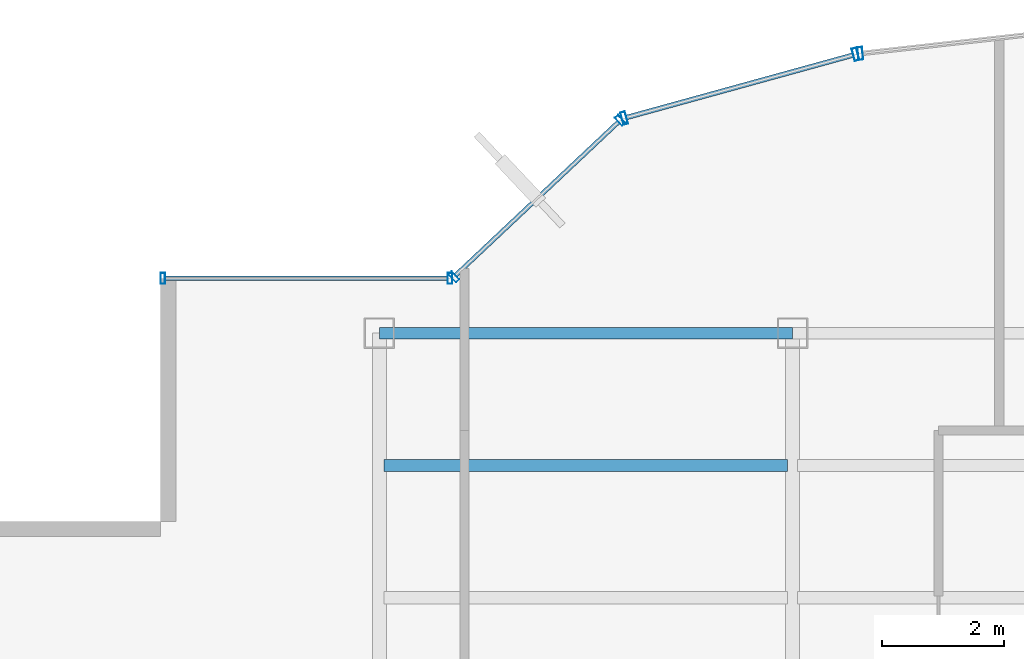
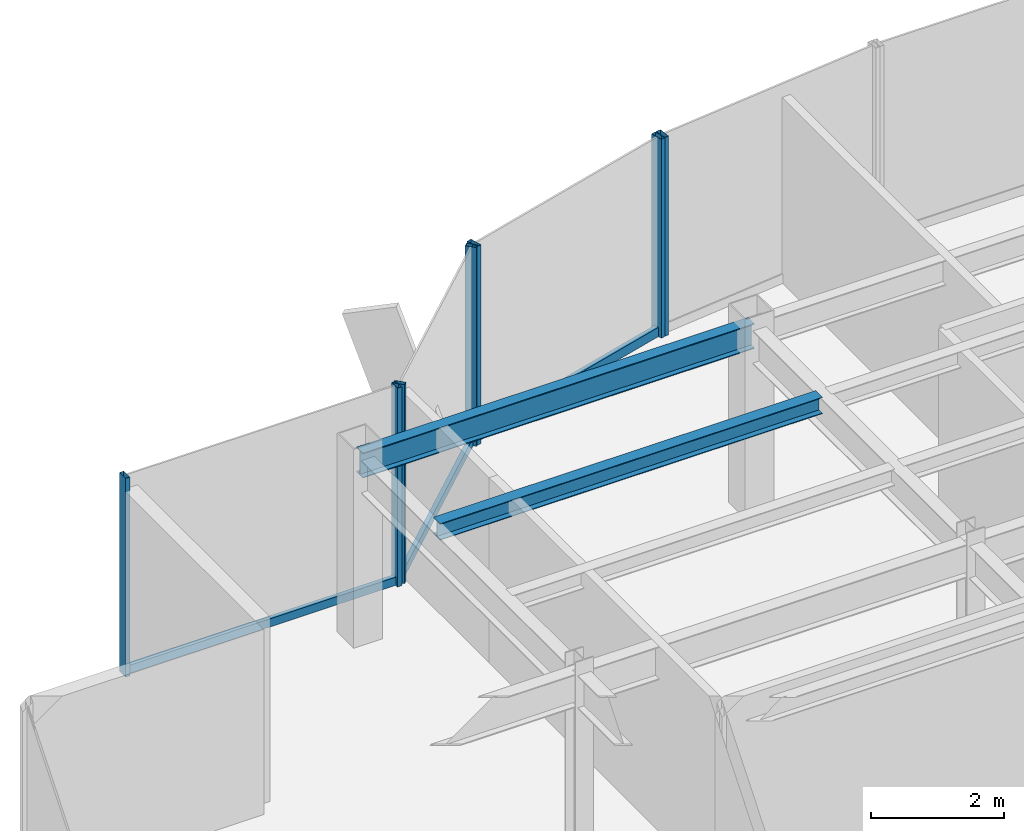
# One storey, part 12 of 22: 10 members, 2 beams, 4 elements without a shape of their own.
"""IFC4 building model written with IfcOpenShell, lengths in metres."""

from ifc_helpers import new_model, si_unit, derived_unit, direction, frame, origin, origin_2d, place, context, subcontext, project, spatial, hollow_rectangle, i_section, extrude, source, transform, mapped, material, material_profile, profile_set, type_object, element, aggregate, save


model = new_model("IFC4")

# Units and contexts
model_context = context("Model", 3, precision=1e-05, world=origin(), true_north=direction((0.0, 1.0)))
body_context = subcontext(model_context, "Body", "Model", "MODEL_VIEW")
ifc_project = project(units=[si_unit("LENGTHUNIT", "METRE"), si_unit("AREAUNIT", "SQUARE_METRE"), si_unit("VOLUMEUNIT", "CUBIC_METRE"), si_unit("PLANEANGLEUNIT", "RADIAN"), si_unit("MASSUNIT", "GRAM", prefix="KILO"), derived_unit("THERMALTRANSMITTANCEUNIT", [(si_unit("POWERUNIT", "WATT"), 1), (si_unit("LENGTHUNIT", "METRE"), -2), (si_unit("THERMODYNAMICTEMPERATUREUNIT", "KELVIN"), -1)])], contexts=[model_context])

# Site, building, storey
site_placement = place(None, origin())
site = spatial("IfcSite", under=ifc_project, at=site_placement, CompositionType="ELEMENT")
building_placement = place(site_placement, origin())
building = spatial("IfcBuilding", under=site, at=building_placement, Name="Skarnbrae Concourse Arena and Tower", CompositionType="ELEMENT")
storey_placement = place(building_placement, frame((0.0, 0.0, 258.800048828125)))
storey = spatial("IfcBuildingStorey", under=building, at=storey_placement, Name="L67", CompositionType="ELEMENT", Elevation=258.800048828125)

# Beams
ifc_material_1 = material(Name="Steel CSA G40.21 350W", Category="steel")
ifc_material_profile_1 = material_profile(ifc_material_1, i_section(OverallWidth=0.19091796875, OverallDepth=0.4599609375, WebThickness=0.010009765625, FlangeThickness=0.01611328125, at=origin_2d()), Name="W460X82")
ifc_profile_set_1 = profile_set([ifc_material_profile_1], Name="Steel CSA G40.21 350W")
beam_type_1 = type_object("IfcBeamType", Name="BM-SPAN-W460X82", PredefinedType="SPANDREL", material=ifc_profile_set_1)
shared_shape_1 = source(origin(), body_context, "Body", "SweptSolid", [
    extrude(i_section(OverallWidth=0.19091796875, OverallDepth=0.4599609375, WebThickness=0.010009765625, FlangeThickness=0.01611328125, at=origin_2d()), origin(), (0.0, 0.0, 1.0), 6.7998046875),
])
beam_1_placement = place(storey_placement, frame((7.60009765625, 34.39990234375, 3.169921875), z_axis=(1.0, 0.0, 0.0), x_axis=(0.0, 1.0, 0.0)))
element("IfcBeam", 1, at=beam_1_placement, inside=storey, type_object=beam_type_1, Name="L67 Perimeter spandrel Y34.4-1", PredefinedType="SPANDREL", context=body_context, shape_type="MappedRepresentation", body=[
    mapped(shared_shape_1, transform((0.0, 0.0, 0.0))),
])
ifc_material_profile_2 = material_profile(ifc_material_1, i_section(OverallWidth=0.202880859375, OverallDepth=0.302978515625, WebThickness=0.007568359375, FlangeThickness=0.01318359375, at=origin_2d()), Name="W310X60")
ifc_profile_set_2 = profile_set([ifc_material_profile_2], Name="Steel CSA G40.21 350W")
beam_type_2 = type_object("IfcBeamType", Name="BM-JOIST-W310X60", PredefinedType="JOIST", material=ifc_profile_set_2)
shared_shape_2 = source(origin(), body_context, "Body", "SweptSolid", [
    extrude(i_section(OverallWidth=0.202880859375, OverallDepth=0.302978515625, WebThickness=0.007568359375, FlangeThickness=0.01318359375, at=origin_2d()), origin(), (0.0, 0.0, 1.0), 6.64013671875),
])
beam_2_placement = place(storey_placement, frame((7.679931640625, 32.221923828125, 3.24853515625), z_axis=(1.0, 0.0, 0.0), x_axis=(0.0, 1.0, 0.0)))
element("IfcBeam", 2, at=beam_2_placement, inside=storey, type_object=beam_type_2, Name="L67 Secondary floor joist 3.2.1", PredefinedType="JOIST", context=body_context, shape_type="MappedRepresentation", body=[
    mapped(shared_shape_2, transform((0.0, 0.0, 0.0))),
])

# Curtain wall, member
ifc_material_2 = material(Name="Bronze anodised aluminium 6063-T6", Category="aluminium")
curtain_wall_type_1 = type_object("IfcCurtainWallType", Name="CW-SYS-03-PORTAL", PredefinedType="USERDEFINED", material=ifc_material_2)
curtain_wall_1_placement = place(storey_placement, origin())
curtain_wall_1 = element("IfcCurtainWall", 3, at=curtain_wall_1_placement, inside=storey, type_object=curtain_wall_type_1, Name="L67 Unitised curtain wall CW-L67-E12", ObjectType="UNITISED CURTAIN WALL", PredefinedType="USERDEFINED")
ifc_material_profile_3 = material_profile(ifc_material_2, hollow_rectangle(XDim=0.080078125, YDim=0.2099609375, WallThickness=0.00439453125, at=origin_2d()), Name="ALU-MULL-80X210")
ifc_profile_set_3 = profile_set([ifc_material_profile_3], Name="Bronze anodised aluminium 6063-T6")
member_type_1 = type_object("IfcMemberType", Name="CWM-CW-03", PredefinedType="MULLION", material=ifc_profile_set_3)
shared_shape_3 = source(origin(), body_context, "Body", "SweptSolid", [
    extrude(hollow_rectangle(XDim=0.080078125, YDim=0.2099609375, WallThickness=0.00439453125, at=origin_2d()), origin(), (0.0, 0.0, 1.0), 3.64990234375),
])
member_1_placement = place(storey_placement, frame((15.513916015625, 39.001708984375, 0.0), z_axis=(0.0, 0.0, 1.0), x_axis=(-0.993768891873, -0.111460259941, 0.0)))
member_1 = element("IfcMember", 4, at=member_1_placement, type_object=member_type_1, Name="CW-L67-E12 Mullion 2", PredefinedType="MULLION", context=body_context, shape_type="MappedRepresentation", body=[
    mapped(shared_shape_3, transform((0.0, 0.0, 0.0))),
])
aggregate(curtain_wall_1, [member_1])

# Curtain wall, members
curtain_wall_2_placement = place(storey_placement, origin())
curtain_wall_2 = element("IfcCurtainWall", 5, at=curtain_wall_2_placement, inside=storey, type_object=curtain_wall_type_1, Name="L67 Unitised curtain wall CW-L67-E13", ObjectType="UNITISED CURTAIN WALL", PredefinedType="USERDEFINED")
member_2_placement = place(storey_placement, frame((15.435546875, 38.986572265625, 0.0), z_axis=(0.0, 0.0, 1.0), x_axis=(-0.964057388766, -0.265694093207, 0.0)))
member_2 = element("IfcMember", 6, at=member_2_placement, type_object=member_type_1, Name="CW-L67-E13 Mullion 1", PredefinedType="MULLION", context=body_context, shape_type="MappedRepresentation", body=[
    mapped(shared_shape_3, transform((0.0, 0.0, 0.0))),
])
member_3_placement = place(storey_placement, frame((11.62890625, 37.937255859375, 0.0), z_axis=(0.0, 0.0, 1.0), x_axis=(-0.964057388766, -0.265694093207, 0.0)))
member_3 = element("IfcMember", 7, at=member_3_placement, type_object=member_type_1, Name="CW-L67-E13 Mullion 2", PredefinedType="MULLION", context=body_context, shape_type="MappedRepresentation", body=[
    mapped(shared_shape_3, transform((0.0, 0.0, 0.0))),
])

curtain_wall_type_2 = type_object("IfcCurtainWallType", Name="CW-SYS-05-HIGHZONE", PredefinedType="USERDEFINED", material=ifc_material_2)
curtain_wall_3_placement = place(storey_placement, origin())
curtain_wall_3 = element("IfcCurtainWall", 8, at=curtain_wall_3_placement, inside=storey, type_object=curtain_wall_type_2, Name="L67 Unitised curtain wall CW-L67-E14", ObjectType="UNITISED CURTAIN WALL", PredefinedType="USERDEFINED")
ifc_material_profile_4 = material_profile(ifc_material_2, hollow_rectangle(XDim=0.074951171875, YDim=0.179931640625, WallThickness=0.00390625, at=origin_2d()), Name="ALU-MULL-75X180")
ifc_profile_set_4 = profile_set([ifc_material_profile_4], Name="Bronze anodised aluminium 6063-T6")
member_type_2 = type_object("IfcMemberType", Name="CWM-CW-05", PredefinedType="MULLION", material=ifc_profile_set_4)
shared_shape_4 = source(origin(), body_context, "Body", "SweptSolid", [
    extrude(hollow_rectangle(XDim=0.074951171875, YDim=0.179931640625, WallThickness=0.00390625, at=origin_2d()), origin(), (0.0, 0.0, 1.0), 3.64990234375),
])
member_4_placement = place(storey_placement, frame((11.56298828125, 37.90087890625, 0.0), z_axis=(0.0, 0.0, 1.0), x_axis=(-0.728130555214, -0.685438468838, 0.0)))
member_4 = element("IfcMember", 9, at=member_4_placement, type_object=member_type_2, Name="CW-L67-E14 Mullion 1", PredefinedType="MULLION", context=body_context, shape_type="MappedRepresentation", body=[
    mapped(shared_shape_4, transform((0.0, 0.0, 0.0))),
])
member_5_placement = place(storey_placement, frame((8.827392578125, 35.32568359375, 0.0), z_axis=(0.0, 0.0, 1.0), x_axis=(-0.728130555214, -0.685438468838, 0.0)))
member_5 = element("IfcMember", 10, at=member_5_placement, type_object=member_type_2, Name="CW-L67-E14 Mullion 2", PredefinedType="MULLION", context=body_context, shape_type="MappedRepresentation", body=[
    mapped(shared_shape_4, transform((0.0, 0.0, 0.0))),
])

curtain_wall_4_placement = place(storey_placement, origin())
curtain_wall_4 = element("IfcCurtainWall", 11, at=curtain_wall_4_placement, inside=storey, type_object=curtain_wall_type_2, Name="L67 Unitised curtain wall CW-L67-E15", ObjectType="UNITISED CURTAIN WALL", PredefinedType="USERDEFINED")
member_6_placement = place(storey_placement, frame((8.762451171875, 35.300048828125, 0.0), z_axis=(0.0, 0.0, 1.0), x_axis=(-1.0, 0.0, 0.0)))
member_6 = element("IfcMember", 12, at=member_6_placement, type_object=member_type_2, Name="CW-L67-E15 Mullion 1", PredefinedType="MULLION", context=body_context, shape_type="MappedRepresentation", body=[
    mapped(shared_shape_4, transform((0.0, 0.0, 0.0))),
])
member_7_placement = place(storey_placement, frame((4.03759765625, 35.300048828125, 0.0), z_axis=(0.0, 0.0, 1.0), x_axis=(-1.0, 0.0, 0.0)))
member_7 = element("IfcMember", 13, at=member_7_placement, type_object=member_type_2, Name="CW-L67-E15 Mullion 2", PredefinedType="MULLION", context=body_context, shape_type="MappedRepresentation", body=[
    mapped(shared_shape_4, transform((0.0, 0.0, 0.0))),
])
ifc_material_profile_5 = material_profile(ifc_material_2, hollow_rectangle(XDim=0.074951171875, YDim=0.14990234375, WallThickness=0.00390625, at=origin_2d()), Name="ALU-TRAN-75X150")
ifc_profile_set_5 = profile_set([ifc_material_profile_5], Name="Bronze anodised aluminium 6063-T6")
member_type_3 = type_object("IfcMemberType", Name="CWT-CW-05", PredefinedType="USERDEFINED", material=ifc_profile_set_5)
shared_shape_5 = source(origin(), body_context, "Body", "SweptSolid", [
    extrude(hollow_rectangle(XDim=0.074951171875, YDim=0.14990234375, WallThickness=0.00390625, at=origin_2d()), origin(), (0.0, 0.0, 1.0), 4.650146484375),
])
member_8_placement = place(storey_placement, frame((8.72509765625, 35.300048828125, 0.074951171875), z_axis=(-1.0, 0.0, 0.0), x_axis=(0.0, -1.0, 0.0)))
member_8 = element("IfcMember", 14, at=member_8_placement, type_object=member_type_3, Name="CW-L67-E15 Transom 1", ObjectType="TRANSOM", PredefinedType="USERDEFINED", context=body_context, shape_type="MappedRepresentation", body=[
    mapped(shared_shape_5, transform((0.0, 0.0, 0.0))),
])
aggregate(curtain_wall_4, [member_6, member_7, member_8])

# Member
shared_shape_6 = source(origin(), body_context, "Body", "SweptSolid", [
    extrude(hollow_rectangle(XDim=0.074951171875, YDim=0.14990234375, WallThickness=0.00390625, at=origin_2d()), origin(), (0.0, 0.0, 1.0), 3.68212890625),
])
member_9_placement = place(storey_placement, frame((11.53564453125, 37.875244140625, 0.074951171875), z_axis=(-0.728133808476, -0.685435012933, 0.0), x_axis=(0.685435012933, -0.728133808476, 0.0)))
member_9 = element("IfcMember", 15, at=member_9_placement, type_object=member_type_3, Name="CW-L67-E14 Transom 1", ObjectType="TRANSOM", PredefinedType="USERDEFINED", context=body_context, shape_type="MappedRepresentation", body=[
    mapped(shared_shape_6, transform((0.0, 0.0, 0.0))),
])

aggregate(curtain_wall_3, [member_4, member_5, member_9])

ifc_material_profile_6 = material_profile(ifc_material_2, hollow_rectangle(XDim=0.080078125, YDim=0.169921875, WallThickness=0.00439453125, at=origin_2d()), Name="ALU-TRAN-80X170")
ifc_profile_set_6 = profile_set([ifc_material_profile_6], Name="Bronze anodised aluminium 6063-T6")
member_type_4 = type_object("IfcMemberType", Name="CWT-CW-03", PredefinedType="USERDEFINED", material=ifc_profile_set_6)
shared_shape_7 = source(origin(), body_context, "Body", "SweptSolid", [
    extrude(hollow_rectangle(XDim=0.080078125, YDim=0.169921875, WallThickness=0.00439453125, at=origin_2d()), origin(), (0.0, 0.0, 1.0), 3.86865234375),
])
member_10_placement = place(storey_placement, frame((15.397216796875, 38.975830078125, 0.0849609375), z_axis=(-0.964062872218, -0.265674195983, 0.0), x_axis=(0.265674195983, -0.964062872218, 0.0)))
member_10 = element("IfcMember", 16, at=member_10_placement, type_object=member_type_4, Name="CW-L67-E13 Transom 1", ObjectType="TRANSOM", PredefinedType="USERDEFINED", context=body_context, shape_type="MappedRepresentation", body=[
    mapped(shared_shape_7, transform((0.0, 0.0, 0.0))),
])

aggregate(curtain_wall_2, [member_2, member_3, member_10])

save(model, "model.ifc")
